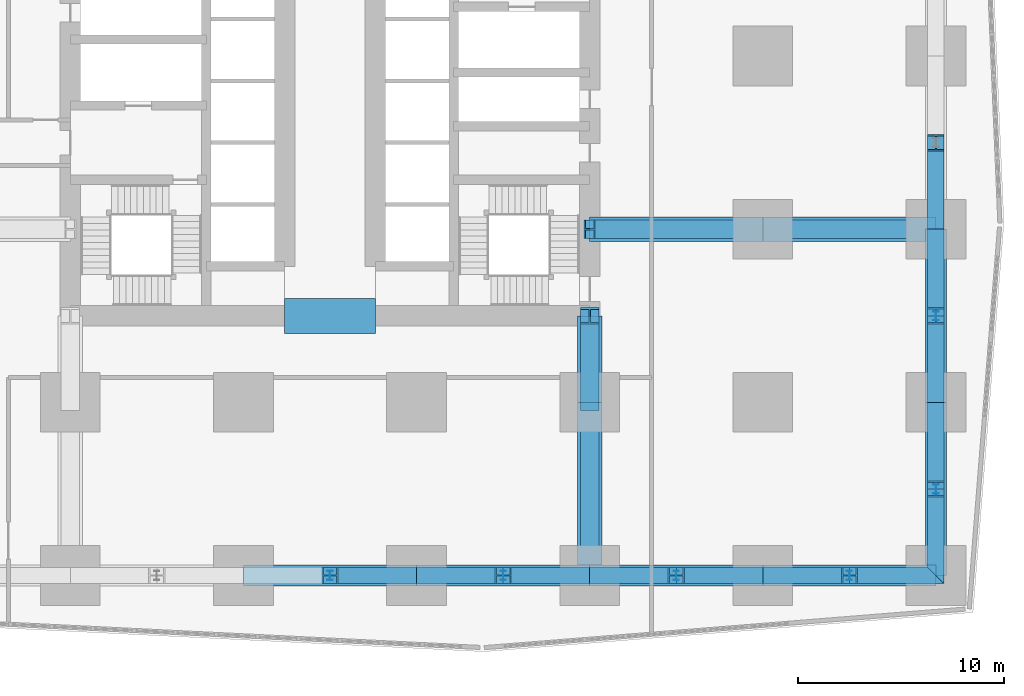
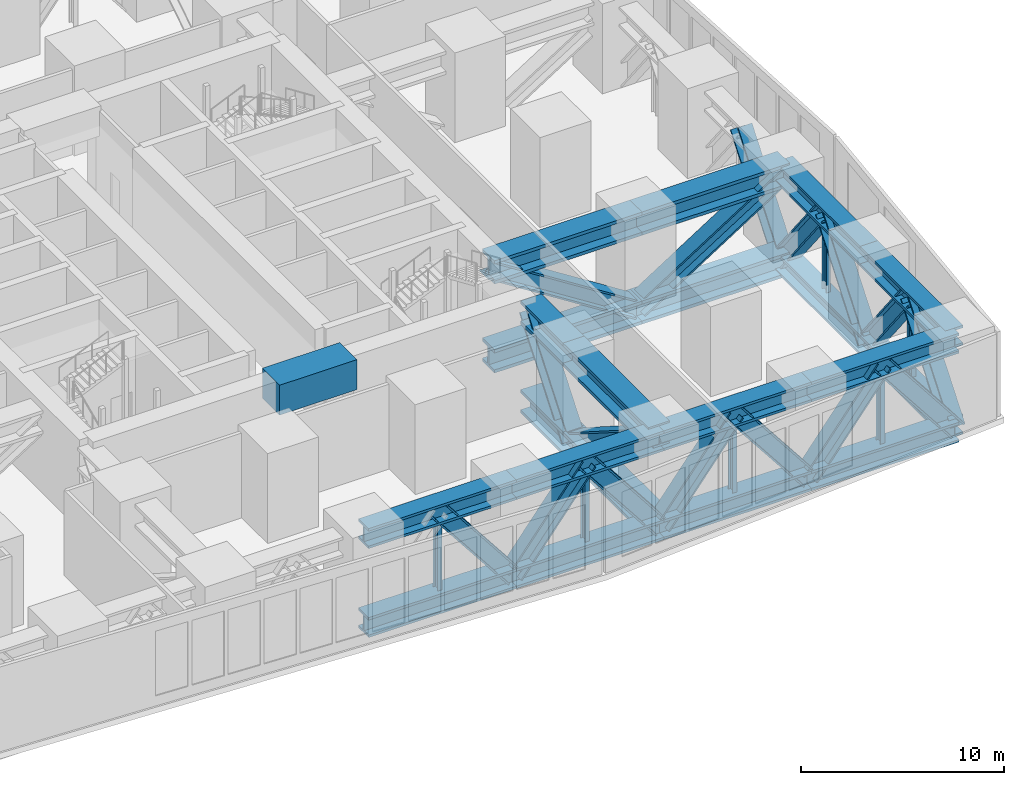
# One storey, part 4 of 16: 42 members, 1 beam.
"""IFC4 building model written with IfcOpenShell, lengths in metres."""

from ifc_helpers import new_model, si_unit, direction, frame, origin, origin_2d, place, context, subcontext, project, spatial, rectangle, i_section, extrude, material, material_profile, profile_set, type_object, element, save


model = new_model("IFC4")

# Units and contexts
model_context = context("Model", 3, precision=1e-05, world=origin(), true_north=direction((0.0, 1.0)))
body_context = subcontext(model_context, "Body", "Model", "MODEL_VIEW")
ifc_project = project(units=[si_unit("LENGTHUNIT", "METRE"), si_unit("AREAUNIT", "SQUARE_METRE"), si_unit("VOLUMEUNIT", "CUBIC_METRE"), si_unit("PLANEANGLEUNIT", "RADIAN"), si_unit("MASSUNIT", "GRAM", prefix="KILO")], contexts=[model_context])

# Site, building, storey
site_placement = place(None, origin())
site = spatial("IfcSite", under=ifc_project, at=site_placement, CompositionType="ELEMENT")
building_placement = place(site_placement, origin())
building = spatial("IfcBuilding", under=site, at=building_placement, Name="Rekha Terrace Tower", CompositionType="ELEMENT")
storey_placement = place(building_placement, frame((0.0, 0.0, 85.39990234375)))
storey = spatial("IfcBuildingStorey", under=building, at=storey_placement, Name="L21", CompositionType="ELEMENT", Elevation=85.39990234375)

# Members
ifc_material_1 = material(Name="Steel E350", Category="steel")
ifc_material_profile_1 = material_profile(ifc_material_1, i_section(OverallWidth=1.0, OverallDepth=1.199951171875, WebThickness=0.110107421875, FlangeThickness=0.14990234375, at=origin_2d()), Name="BU 1200x1000x110x150")
ifc_profile_set_1 = profile_set([ifc_material_profile_1], Name="Steel E350")
member_type_1 = type_object("IfcMemberType", Name="BC21 BU 1200x1000x110x150 belt truss chord", PredefinedType="CHORD", material=ifc_profile_set_1)
for number, where, z_axis, x_axis, name in (
    (1, (33.60009765625, 8.39990234375, 4.300048828125), (1.0, 0.0, 0.0), (0.0, 1.0, 0.0), "Belt top chord 5B-6B L21"),
    (2, (33.60009765625, 8.39990234375, -1.0498046875), (1.0, 0.0, 0.0), (0.0, 1.0, 0.0), "Belt bottom chord 5B-6B L21"),
    (3, (42.0, 8.39990234375, 4.300048828125), (1.0, 0.0, 0.0), (0.0, 1.0, 0.0), "Belt top chord 6B-7B L21"),
    (4, (42.0, 8.39990234375, -1.0498046875), (1.0, 0.0, 0.0), (0.0, 1.0, 0.0), "Belt bottom chord 6B-7B L21"),
):
    element("IfcMember", number, at=place(storey_placement, frame(where, z_axis=z_axis, x_axis=x_axis)), inside=storey, type_object=member_type_1, Name=name, PredefinedType="CHORD", context=body_context, shape_type="SweptSolid", body=[
        extrude(i_section(OverallWidth=1.0, OverallDepth=1.199951171875, WebThickness=0.110107421875, FlangeThickness=0.14990234375, at=origin_2d()), origin(), (0.0, 0.0, 1.0), 8.39990234375),
    ])
for number, where, z_axis, x_axis, name in (
    (5, (50.39990234375, 8.39990234375, 4.300048828125), (1.0, 0.0, 0.0), (0.0, 1.0, 0.0), "Belt top chord 7B-8B L21"),
    (6, (50.39990234375, 8.39990234375, -1.0498046875), (1.0, 0.0, 0.0), (0.0, 1.0, 0.0), "Belt bottom chord 7B-8B L21"),
):
    element("IfcMember", number, at=place(storey_placement, frame(where, z_axis=z_axis, x_axis=x_axis)), inside=storey, type_object=member_type_1, Name=name, PredefinedType="CHORD", context=body_context, shape_type="SweptSolid", body=[
        extrude(i_section(OverallWidth=1.0, OverallDepth=1.199951171875, WebThickness=0.110107421875, FlangeThickness=0.14990234375, at=origin_2d()), origin(), (0.0, 0.0, 1.0), 8.400146484375),
    ])
for number, where, z_axis, x_axis, name in (
    (7, (58.800048828125, 8.39990234375, 4.300048828125), (1.0, 0.0, 0.0), (0.0, 1.0, 0.0), "Belt top chord 8B-9B L21"),
    (8, (58.800048828125, 8.39990234375, -1.0498046875), (1.0, 0.0, 0.0), (0.0, 1.0, 0.0), "Belt bottom chord 8B-9B L21"),
):
    element("IfcMember", number, at=place(storey_placement, frame(where, z_axis=z_axis, x_axis=x_axis)), inside=storey, type_object=member_type_1, Name=name, PredefinedType="CHORD", context=body_context, shape_type="SweptSolid", body=[
        extrude(i_section(OverallWidth=1.0, OverallDepth=1.199951171875, WebThickness=0.110107421875, FlangeThickness=0.14990234375, at=origin_2d()), origin(), (0.0, 0.0, 1.0), 8.39990234375),
    ])
for number, where, z_axis, x_axis, name in (
    (9, (67.199951171875, 8.39990234375, 4.300048828125), (0.0, 1.0, 0.0), (-1.0, 0.0, 0.0), "Belt top chord 9B-9C L21"),
    (10, (67.199951171875, 8.39990234375, -1.0498046875), (0.0, 1.0, 0.0), (-1.0, 0.0, 0.0), "Belt bottom chord 9B-9C L21"),
):
    element("IfcMember", number, at=place(storey_placement, frame(where, z_axis=z_axis, x_axis=x_axis)), inside=storey, type_object=member_type_1, Name=name, PredefinedType="CHORD", context=body_context, shape_type="SweptSolid", body=[
        extrude(i_section(OverallWidth=1.0, OverallDepth=1.199951171875, WebThickness=0.110107421875, FlangeThickness=0.14990234375, at=origin_2d()), origin(), (0.0, 0.0, 1.0), 8.400146484375),
    ])
for number, where, z_axis, x_axis, name in (
    (11, (67.199951171875, 16.800048828125, 4.300048828125), (0.0, 1.0, 0.0), (-1.0, 0.0, 0.0), "Belt top chord 9C-9D L21"),
    (12, (67.199951171875, 16.800048828125, -1.0498046875), (0.0, 1.0, 0.0), (-1.0, 0.0, 0.0), "Belt bottom chord 9C-9D L21"),
):
    element("IfcMember", number, at=place(storey_placement, frame(where, z_axis=z_axis, x_axis=x_axis)), inside=storey, type_object=member_type_1, Name=name, PredefinedType="CHORD", context=body_context, shape_type="SweptSolid", body=[
        extrude(i_section(OverallWidth=1.0, OverallDepth=1.199951171875, WebThickness=0.110107421875, FlangeThickness=0.14990234375, at=origin_2d()), origin(), (0.0, 0.0, 1.0), 8.39990234375),
    ])
ifc_material_profile_2 = material_profile(ifc_material_1, i_section(OverallWidth=0.800048828125, OverallDepth=1.0, WebThickness=0.050048828125, FlangeThickness=0.090087890625, at=origin_2d()), Name="BU 1000x800x50x90")
ifc_profile_set_2 = profile_set([ifc_material_profile_2], Name="Steel E350")
member_type_2 = type_object("IfcMemberType", Name="BD21 BU 1000x800x50x90 belt truss diagonal", PredefinedType="BRACE", material=ifc_profile_set_2)
for number, where, z_axis, x_axis, name in (
    (13, (42.0, 8.39990234375, -1.0498046875), (-0.617502861702, 0.0, 0.786568633871), (0.0, -1.0, 0.0), "Belt diagonal 5B-6B L21"),
    (14, (42.0, 8.39990234375, -1.0498046875), (0.617502861702, 0.0, 0.786568633871), (0.0, 1.0, 0.0), "Belt diagonal 6B-7B L21"),
    (15, (50.39990234375, 8.39990234375, -1.0498046875), (-0.617502861702, 0.0, 0.786568633871), (0.0, -1.0, 0.0), "Belt diagonal 6B-7B L21"),
):
    element("IfcMember", number, at=place(storey_placement, frame(where, z_axis=z_axis, x_axis=x_axis)), inside=storey, type_object=member_type_2, Name=name, PredefinedType="BRACE", context=body_context, shape_type="SweptSolid", body=[
        extrude(i_section(OverallWidth=0.800048828125, OverallDepth=1.0, WebThickness=0.050048828125, FlangeThickness=0.090087890625, at=origin_2d()), origin(), (0.0, 0.0, 1.0), 6.801513671875),
    ])
member_1_placement = place(storey_placement, frame((50.39990234375, 8.39990234375, -1.0498046875), z_axis=(0.617525068892, 0.0, 0.786551199408), x_axis=(0.0, 1.0, 0.0)))
element("IfcMember", 16, at=member_1_placement, inside=storey, type_object=member_type_2, Name="Belt diagonal 7B-8B L21", PredefinedType="BRACE", context=body_context, shape_type="SweptSolid", body=[
    extrude(i_section(OverallWidth=0.800048828125, OverallDepth=1.0, WebThickness=0.050048828125, FlangeThickness=0.090087890625, at=origin_2d()), origin(), (0.0, 0.0, 1.0), 6.8017578125),
])
for number, where, z_axis, x_axis, name in (
    (17, (58.800048828125, 8.39990234375, -1.0498046875), (-0.617502861702, 0.0, 0.786568633871), (0.0, -1.0, 0.0), "Belt diagonal 7B-8B L21"),
    (18, (58.800048828125, 8.39990234375, -1.0498046875), (0.617502861702, 0.0, 0.786568633871), (0.0, 1.0, 0.0), "Belt diagonal 8B-9B L21"),
    (19, (67.199951171875, 8.39990234375, -1.0498046875), (-0.617502861702, 0.0, 0.786568633871), (0.0, -1.0, 0.0), "Belt diagonal 8B-9B L21"),
):
    element("IfcMember", number, at=place(storey_placement, frame(where, z_axis=z_axis, x_axis=x_axis)), inside=storey, type_object=member_type_2, Name=name, PredefinedType="BRACE", context=body_context, shape_type="SweptSolid", body=[
        extrude(i_section(OverallWidth=0.800048828125, OverallDepth=1.0, WebThickness=0.050048828125, FlangeThickness=0.090087890625, at=origin_2d()), origin(), (0.0, 0.0, 1.0), 6.801513671875),
    ])
member_2_placement = place(storey_placement, frame((67.199951171875, 8.39990234375, -1.0498046875), z_axis=(0.0, 0.617525068892, 0.786551199408), x_axis=(-1.0, 0.0, 0.0)))
element("IfcMember", 20, at=member_2_placement, inside=storey, type_object=member_type_2, Name="Belt diagonal 9B-9C L21", PredefinedType="BRACE", context=body_context, shape_type="SweptSolid", body=[
    extrude(i_section(OverallWidth=0.800048828125, OverallDepth=1.0, WebThickness=0.050048828125, FlangeThickness=0.090087890625, at=origin_2d()), origin(), (0.0, 0.0, 1.0), 6.8017578125),
])
for number, where, z_axis, x_axis, name in (
    (21, (67.199951171875, 16.800048828125, -1.0498046875), (0.0, -0.617502861702, 0.786568633871), (1.0, 0.0, 0.0), "Belt diagonal 9B-9C L21"),
    (22, (67.199951171875, 16.800048828125, -1.0498046875), (0.0, 0.617502861702, 0.786568633871), (-1.0, 0.0, 0.0), "Belt diagonal 9C-9D L21"),
    (23, (67.199951171875, 25.199951171875, -1.0498046875), (0.0, -0.617502861702, 0.786568633871), (1.0, 0.0, 0.0), "Belt diagonal 9C-9D L21"),
    (24, (67.199951171875, 25.199951171875, -1.0498046875), (0.0, 0.617502861702, 0.786568633871), (-1.0, 0.0, 0.0), "Belt diagonal 9D-9E L21"),
):
    element("IfcMember", number, at=place(storey_placement, frame(where, z_axis=z_axis, x_axis=x_axis)), inside=storey, type_object=member_type_2, Name=name, PredefinedType="BRACE", context=body_context, shape_type="SweptSolid", body=[
        extrude(i_section(OverallWidth=0.800048828125, OverallDepth=1.0, WebThickness=0.050048828125, FlangeThickness=0.090087890625, at=origin_2d()), origin(), (0.0, 0.0, 1.0), 6.801513671875),
    ])
ifc_material_profile_3 = material_profile(ifc_material_1, i_section(OverallWidth=0.25, OverallDepth=0.449951171875, WebThickness=0.01123046875, FlangeThickness=0.017333984375, FilletRadius=0.014892578125, at=origin_2d()), Name="ISHB 450")
ifc_profile_set_3 = profile_set([ifc_material_profile_3], Name="Steel E350")
member_type_3 = type_object("IfcMemberType", Name="BV21 ISHB 450 belt truss post", PredefinedType="POST", material=ifc_profile_set_3)
for number, where, z_axis, x_axis, name in (
    (25, (37.800048828125, 8.39990234375, -0.449951171875), (0.0, 0.0, 1.0), (1.0, 0.0, 0.0), "Belt post 5B-6B L21"),
    (26, (46.199951171875, 8.39990234375, -0.449951171875), (0.0, 0.0, 1.0), (1.0, 0.0, 0.0), "Belt post 6B-7B L21"),
    (27, (54.60009765625, 8.39990234375, -0.449951171875), (0.0, 0.0, 1.0), (1.0, 0.0, 0.0), "Belt post 7B-8B L21"),
    (28, (63.0, 8.39990234375, -0.449951171875), (0.0, 0.0, 1.0), (1.0, 0.0, 0.0), "Belt post 8B-9B L21"),
    (29, (67.199951171875, 12.60009765625, -0.449951171875), (0.0, 0.0, 1.0), (1.0, 0.0, 0.0), "Belt post 9B-9C L21"),
    (30, (67.199951171875, 21.0, -0.449951171875), (0.0, 0.0, 1.0), (1.0, 0.0, 0.0), "Belt post 9C-9D L21"),
):
    element("IfcMember", number, at=place(storey_placement, frame(where, z_axis=z_axis, x_axis=x_axis)), inside=storey, type_object=member_type_3, Name=name, PredefinedType="POST", context=body_context, shape_type="SweptSolid", body=[
        extrude(i_section(OverallWidth=0.25, OverallDepth=0.449951171875, WebThickness=0.01123046875, FlangeThickness=0.017333984375, FilletRadius=0.014892578125, at=origin_2d()), origin(), (0.0, 0.0, 1.0), 4.150146484375),
    ])

# Beam
ifc_material_2 = material(Name="Concrete M70", Category="concrete")
ifc_material_profile_4 = material_profile(ifc_material_2, rectangle(XDim=1.699951171875, YDim=1.800048828125, at=origin_2d()), Name="RC 1700x1800")
ifc_profile_set_4 = profile_set([ifc_material_profile_4], Name="Concrete M70")
beam_type = type_object("IfcBeamType", Name="LB2B 1700x1800 diagonally reinforced coupling beam", PredefinedType="LINTEL", material=ifc_profile_set_4)
beam_placement = place(storey_placement, frame((35.60009765625, 21.0, 4.5), z_axis=(1.0, 0.0, 0.0), x_axis=(0.0, 1.0, 0.0)))
element("IfcBeam", 31, at=beam_placement, inside=storey, type_object=beam_type, Name="Coupling beam LB2B S L21", PredefinedType="LINTEL", context=body_context, shape_type="SweptSolid", body=[
    extrude(rectangle(XDim=1.699951171875, YDim=1.800048828125, at=origin_2d()), origin(), (0.0, 0.0, 1.0), 4.39990234375),
])

# Members
ifc_material_profile_5 = material_profile(ifc_material_1, i_section(OverallWidth=1.199951171875, OverallDepth=1.39990234375, WebThickness=0.139892578125, FlangeThickness=0.18994140625, at=origin_2d()), Name="BU 1400x1200x140x190")
ifc_profile_set_5 = profile_set([ifc_material_profile_5], Name="Steel E350")
member_type_4 = type_object("IfcMemberType", Name="OC21 BU 1400x1200x140x190 outrigger chord", PredefinedType="CHORD", material=ifc_profile_set_5)
for number, where, z_axis, x_axis, name in (
    (32, (50.39990234375, 25.199951171875, 4.300048828125), (1.0, 0.0, 0.0), (0.0, 1.0, 0.0), "Outrigger top chord ED-1 L21"),
    (33, (50.39990234375, 25.199951171875, -1.0498046875), (1.0, 0.0, 0.0), (0.0, 1.0, 0.0), "Outrigger bottom chord ED-1 L21"),
):
    element("IfcMember", number, at=place(storey_placement, frame(where, z_axis=z_axis, x_axis=x_axis)), inside=storey, type_object=member_type_4, Name=name, PredefinedType="CHORD", context=body_context, shape_type="SweptSolid", body=[
        extrude(i_section(OverallWidth=1.199951171875, OverallDepth=1.39990234375, WebThickness=0.139892578125, FlangeThickness=0.18994140625, at=origin_2d()), origin(), (0.0, 0.0, 1.0), 8.400146484375),
    ])
for number, where, z_axis, x_axis, name in (
    (34, (58.800048828125, 25.199951171875, 4.300048828125), (1.0, 0.0, 0.0), (0.0, 1.0, 0.0), "Outrigger top chord ED-2 L21"),
    (35, (58.800048828125, 25.199951171875, -1.0498046875), (1.0, 0.0, 0.0), (0.0, 1.0, 0.0), "Outrigger bottom chord ED-2 L21"),
):
    element("IfcMember", number, at=place(storey_placement, frame(where, z_axis=z_axis, x_axis=x_axis)), inside=storey, type_object=member_type_4, Name=name, PredefinedType="CHORD", context=body_context, shape_type="SweptSolid", body=[
        extrude(i_section(OverallWidth=1.199951171875, OverallDepth=1.39990234375, WebThickness=0.139892578125, FlangeThickness=0.18994140625, at=origin_2d()), origin(), (0.0, 0.0, 1.0), 8.39990234375),
    ])
for number, where, z_axis, x_axis, name in (
    (36, (50.39990234375, 21.0, 4.300048828125), (0.0, -1.0, 0.0), (1.0, 0.0, 0.0), "Outrigger top chord S7-1 L21"),
    (37, (50.39990234375, 21.0, -1.0498046875), (0.0, -1.0, 0.0), (1.0, 0.0, 0.0), "Outrigger bottom chord S7-1 L21"),
):
    element("IfcMember", number, at=place(storey_placement, frame(where, z_axis=z_axis, x_axis=x_axis)), inside=storey, type_object=member_type_4, Name=name, PredefinedType="CHORD", context=body_context, shape_type="SweptSolid", body=[
        extrude(i_section(OverallWidth=1.199951171875, OverallDepth=1.39990234375, WebThickness=0.139892578125, FlangeThickness=0.18994140625, at=origin_2d()), origin(), (0.0, 0.0, 1.0), 4.199951171875),
    ])
for number, where, z_axis, x_axis, name in (
    (38, (50.39990234375, 16.800048828125, 4.300048828125), (0.0, -1.0, 0.0), (1.0, 0.0, 0.0), "Outrigger top chord S7-2 L21"),
    (39, (50.39990234375, 16.800048828125, -1.0498046875), (0.0, -1.0, 0.0), (1.0, 0.0, 0.0), "Outrigger bottom chord S7-2 L21"),
):
    element("IfcMember", number, at=place(storey_placement, frame(where, z_axis=z_axis, x_axis=x_axis)), inside=storey, type_object=member_type_4, Name=name, PredefinedType="CHORD", context=body_context, shape_type="SweptSolid", body=[
        extrude(i_section(OverallWidth=1.199951171875, OverallDepth=1.39990234375, WebThickness=0.139892578125, FlangeThickness=0.18994140625, at=origin_2d()), origin(), (0.0, 0.0, 1.0), 8.400146484375),
    ])
ifc_material_profile_6 = material_profile(ifc_material_1, i_section(OverallWidth=0.89990234375, OverallDepth=1.0, WebThickness=0.06005859375, FlangeThickness=0.10009765625, at=origin_2d()), Name="BU 1000x900x60x100")
ifc_profile_set_6 = profile_set([ifc_material_profile_6], Name="Steel E350")
member_type_5 = type_object("IfcMemberType", Name="OD21 BU 1000x900x60x100 outrigger diagonal", PredefinedType="BRACE", material=ifc_profile_set_6)
for number, where, z_axis, x_axis, name in (
    (40, (50.39990234375, 25.199951171875, 4.300048828125), (0.843465605129, 0.0, -0.537183183806), (0.0, 1.0, 0.0), "Outrigger diagonal ED-1 L21"),
    (41, (58.800048828125, 25.199951171875, -1.0498046875), (0.843458530905, 0.0, 0.537194291336), (0.0, 1.0, 0.0), "Outrigger diagonal ED-2 L21"),
):
    element("IfcMember", number, at=place(storey_placement, frame(where, z_axis=z_axis, x_axis=x_axis)), inside=storey, type_object=member_type_5, Name=name, PredefinedType="BRACE", context=body_context, shape_type="SweptSolid", body=[
        extrude(i_section(OverallWidth=0.89990234375, OverallDepth=1.0, WebThickness=0.06005859375, FlangeThickness=0.10009765625, at=origin_2d()), origin(), (0.0, 0.0, 1.0), 9.958984375),
    ])
member_3_placement = place(storey_placement, frame((50.39990234375, 21.0, 4.300048828125), z_axis=(0.0, -0.617502861702, -0.786568633871), x_axis=(1.0, 0.0, 0.0)))
element("IfcMember", 42, at=member_3_placement, inside=storey, type_object=member_type_5, Name="Outrigger diagonal S7-1 L21", PredefinedType="BRACE", context=body_context, shape_type="SweptSolid", body=[
    extrude(i_section(OverallWidth=0.89990234375, OverallDepth=1.0, WebThickness=0.06005859375, FlangeThickness=0.10009765625, at=origin_2d()), origin(), (0.0, 0.0, 1.0), 6.801513671875),
])
member_4_placement = place(storey_placement, frame((50.39990234375, 16.800048828125, -1.0498046875), z_axis=(0.0, -0.843465605129, 0.537183183806), x_axis=(1.0, 0.0, 0.0)))
element("IfcMember", 43, at=member_4_placement, inside=storey, type_object=member_type_5, Name="Outrigger diagonal S7-2 L21", PredefinedType="BRACE", context=body_context, shape_type="SweptSolid", body=[
    extrude(i_section(OverallWidth=0.89990234375, OverallDepth=1.0, WebThickness=0.06005859375, FlangeThickness=0.10009765625, at=origin_2d()), origin(), (0.0, 0.0, 1.0), 9.958984375),
])

save(model, "model.ifc")
